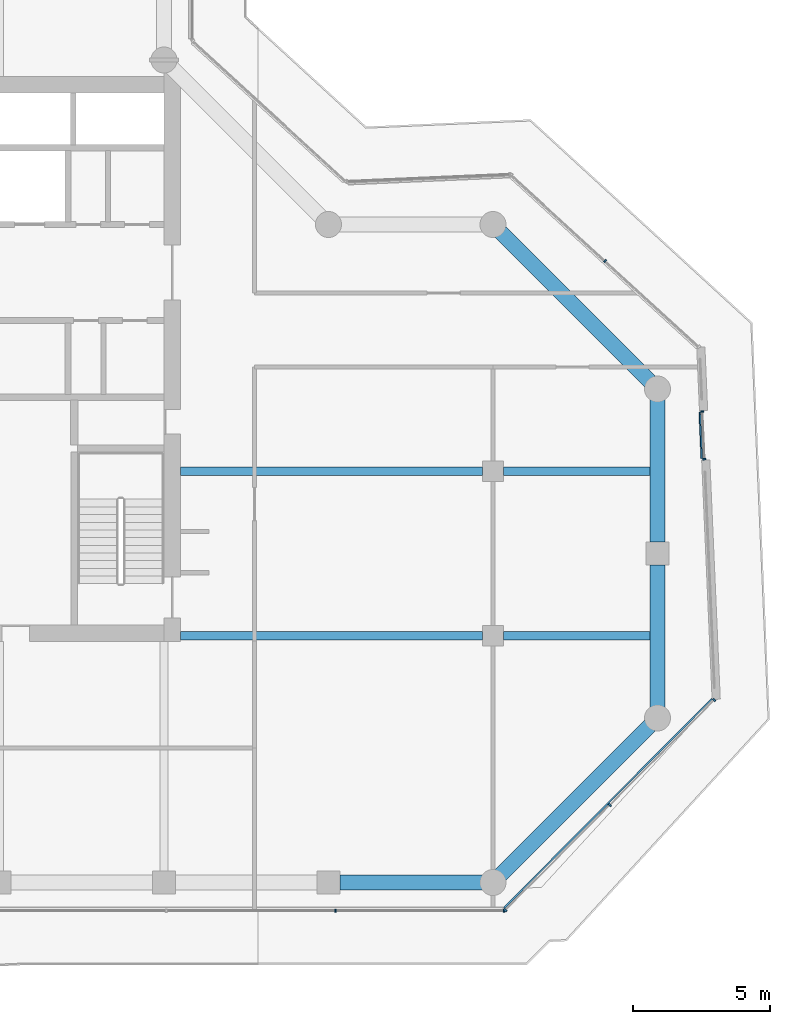
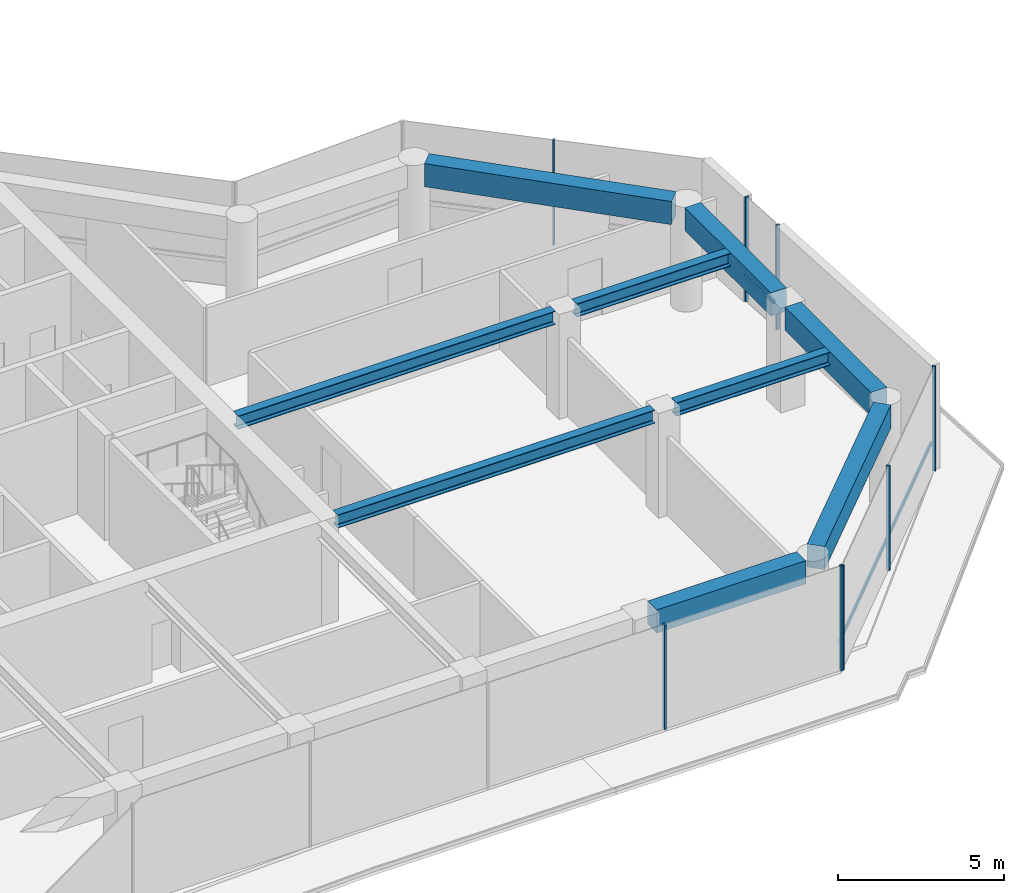
# One storey, part 7 of 21: 10 members, 9 beams, 4 elements without a shape of their own.
"""IFC4 building model written with IfcOpenShell, lengths in metres."""

from ifc_helpers import new_model, si_unit, direction, frame, origin, origin_2d, place, context, subcontext, project, spatial, rectangle, i_section, extrude, material, layer, layer_set, material_profile, profile_set, type_object, element, aggregate, save


model = new_model("IFC4")

# Units and contexts
model_context = context("Model", 3, precision=1e-05, world=origin(), true_north=direction((0.0, 1.0)))
body_context = subcontext(model_context, "Body", "Model", "MODEL_VIEW")
ifc_project = project(units=[si_unit("LENGTHUNIT", "METRE"), si_unit("AREAUNIT", "SQUARE_METRE"), si_unit("VOLUMEUNIT", "CUBIC_METRE"), si_unit("PLANEANGLEUNIT", "RADIAN"), si_unit("MASSUNIT", "GRAM", prefix="KILO")], contexts=[model_context])

# Site, building, storey
site_placement = place(None, origin())
site = spatial("IfcSite", under=ifc_project, at=site_placement, CompositionType="ELEMENT")
building_placement = place(site_placement, origin())
building = spatial("IfcBuilding", under=site, at=building_placement, Name="Welwitschia Terrace Campus", CompositionType="ELEMENT")
storey_placement = place(building_placement, frame((0.0, 0.0, 180.199951171875)))
storey = spatial("IfcBuildingStorey", under=building, at=storey_placement, Name="L40", CompositionType="ELEMENT", Elevation=180.199951171875)

# Beams
ifc_material_1 = material(Name="Steel S355", Category="steel")
ifc_material_profile_1 = material_profile(ifc_material_1, i_section(OverallWidth=0.300048828125, OverallDepth=0.489990234375, WebThickness=0.011962890625, FlangeThickness=0.02294921875, FilletRadius=0.027099609375, at=origin_2d()))
ifc_profile_set_1 = profile_set([ifc_material_profile_1], Name="Steel S355")
beam_type_1 = type_object("IfcBeamType", Name="Interior girder HE 500 A", PredefinedType="BEAM", material=ifc_profile_set_1)
beam_1_placement = place(storey_placement, frame((24.60107421875, 5.0, 3.60498046875), z_axis=(1.0, 0.0, 0.0), x_axis=(0.0, 1.0, 0.0)))
element("IfcBeam", 1, at=beam_1_placement, inside=storey, type_object=beam_type_1, Name="Girder GB4", PredefinedType="BEAM", context=body_context, shape_type="SweptSolid", body=[
    extrude(i_section(OverallWidth=0.300048828125, OverallDepth=0.489990234375, WebThickness=0.011962890625, FlangeThickness=0.02294921875, FilletRadius=0.027099609375, at=origin_2d()), origin(), (0.0, 0.0, 1.0), 11.0234375),
])
beam_2_placement = place(storey_placement, frame((36.37548828125, 5.0, 3.60498046875), z_axis=(1.0, 0.0, 0.0), x_axis=(0.0, 1.0, 0.0)))
element("IfcBeam", 2, at=beam_2_placement, inside=storey, type_object=beam_type_1, Name="Girder GB4", PredefinedType="BEAM", context=body_context, shape_type="SweptSolid", body=[
    extrude(i_section(OverallWidth=0.300048828125, OverallDepth=0.489990234375, WebThickness=0.011962890625, FlangeThickness=0.02294921875, FilletRadius=0.027099609375, at=origin_2d()), origin(), (0.0, 0.0, 1.0), 5.634521484375),
])
beam_3_placement = place(storey_placement, frame((24.60107421875, 11.0, 3.60498046875), z_axis=(1.0, 0.0, 0.0), x_axis=(0.0, 1.0, 0.0)))
element("IfcBeam", 3, at=beam_3_placement, inside=storey, type_object=beam_type_1, Name="Girder GB4", PredefinedType="BEAM", context=body_context, shape_type="SweptSolid", body=[
    extrude(i_section(OverallWidth=0.300048828125, OverallDepth=0.489990234375, WebThickness=0.011962890625, FlangeThickness=0.02294921875, FilletRadius=0.027099609375, at=origin_2d()), origin(), (0.0, 0.0, 1.0), 11.0234375),
])
beam_4_placement = place(storey_placement, frame((36.37548828125, 11.0, 3.60498046875), z_axis=(1.0, 0.0, 0.0), x_axis=(0.0, 1.0, 0.0)))
element("IfcBeam", 4, at=beam_4_placement, inside=storey, type_object=beam_type_1, Name="Girder GB4", PredefinedType="BEAM", context=body_context, shape_type="SweptSolid", body=[
    extrude(i_section(OverallWidth=0.300048828125, OverallDepth=0.489990234375, WebThickness=0.011962890625, FlangeThickness=0.02294921875, FilletRadius=0.027099609375, at=origin_2d()), origin(), (0.0, 0.0, 1.0), 5.634521484375),
])

# Curtain wall, members
ifc_material_2 = material(Name="Bronze anodised aluminium", Category="aluminium")
ifc_layer = layer(ifc_material_2, 0.1201171875)
ifc_layer_set = layer_set([ifc_layer], Name="Bronze anodised aluminium")
curtain_wall_type = type_object("IfcCurtainWallType", Name="Curtain wall CW2 tower 6000", PredefinedType="NOTDEFINED", material=ifc_layer_set)
curtain_wall_1_placement = place(storey_placement, origin())
curtain_wall_1 = element("IfcCurtainWall", 5, at=curtain_wall_1_placement, inside=storey, type_object=curtain_wall_type, Name="CW L40.1.0", PredefinedType="NOTDEFINED")
ifc_material_3 = material(Name="Bronze anodised aluminium", Category="aluminium")
ifc_material_profile_2 = material_profile(ifc_material_3, rectangle(XDim=0.1201171875, YDim=0.06005859375, at=origin_2d()))
ifc_profile_set_2 = profile_set([ifc_material_profile_2], Name="Bronze anodised aluminium")
member_type_1 = type_object("IfcMemberType", Name="Mullion 60x120", PredefinedType="MULLION", material=ifc_profile_set_2)
member_1_placement = place(storey_placement, frame((30.256103515625, -5.030029296875, 0.0), z_axis=(0.0, 0.0, 1.0), x_axis=(0.0, 1.0, 0.0)))
member_1 = element("IfcMember", 6, at=member_1_placement, type_object=member_type_1, Name="Mullion L40.1.0.4", PredefinedType="MULLION", context=body_context, shape_type="SweptSolid", body=[
    extrude(rectangle(XDim=0.1201171875, YDim=0.06005859375, at=origin_2d()), origin(), (0.0, 0.0, 1.0), 3.85009765625),
])
member_2_placement = place(storey_placement, frame((36.396728515625, -5.030029296875, 0.0), z_axis=(0.0, 0.0, 1.0), x_axis=(0.0, 1.0, 0.0)))
member_2 = element("IfcMember", 7, at=member_2_placement, type_object=member_type_1, Name="Mullion L40.1.0.5", PredefinedType="MULLION", context=body_context, shape_type="SweptSolid", body=[
    extrude(rectangle(XDim=0.1201171875, YDim=0.06005859375, at=origin_2d()), origin(), (0.0, 0.0, 1.0), 3.85009765625),
])
aggregate(curtain_wall_1, [member_1, member_2])

curtain_wall_2_placement = place(storey_placement, origin())
curtain_wall_2 = element("IfcCurtainWall", 8, at=curtain_wall_2_placement, inside=storey, type_object=curtain_wall_type, Name="CW L40.2.0", PredefinedType="NOTDEFINED")
member_3_placement = place(storey_placement, frame((36.44775390625, -5.0087890625, 0.0), z_axis=(0.0, 0.0, 1.0), x_axis=(-0.709158788823, 0.705048801314, 0.0)))
member_3 = element("IfcMember", 9, at=member_3_placement, type_object=member_type_1, Name="Mullion L40.2.0.0", PredefinedType="MULLION", context=body_context, shape_type="SweptSolid", body=[
    extrude(rectangle(XDim=0.1201171875, YDim=0.06005859375, at=origin_2d()), origin(), (0.0, 0.0, 1.0), 3.85009765625),
])
member_4_placement = place(storey_placement, frame((40.259033203125, -1.17529296875, 0.0), z_axis=(0.0, 0.0, 1.0), x_axis=(-0.709158788823, 0.705048801314, 0.0)))
member_4 = element("IfcMember", 10, at=member_4_placement, type_object=member_type_1, Name="Mullion L40.2.0.1", PredefinedType="MULLION", context=body_context, shape_type="SweptSolid", body=[
    extrude(rectangle(XDim=0.1201171875, YDim=0.06005859375, at=origin_2d()), origin(), (0.0, 0.0, 1.0), 3.85009765625),
])
member_5_placement = place(storey_placement, frame((44.0703125, 2.658203125, 0.0), z_axis=(0.0, 0.0, 1.0), x_axis=(-0.709158788823, 0.705048801314, 0.0)))
member_5 = element("IfcMember", 11, at=member_5_placement, type_object=member_type_1, Name="Mullion L40.2.0.2", PredefinedType="MULLION", context=body_context, shape_type="SweptSolid", body=[
    extrude(rectangle(XDim=0.1201171875, YDim=0.06005859375, at=origin_2d()), origin(), (0.0, 0.0, 1.0), 3.85009765625),
])

curtain_wall_3_placement = place(storey_placement, origin())
curtain_wall_3 = element("IfcCurtainWall", 12, at=curtain_wall_3_placement, inside=storey, type_object=curtain_wall_type, Name="CW L40.3.S0", PredefinedType="NOTDEFINED")
member_6_placement = place(storey_placement, frame((43.708984375, 11.441162109375, 0.0), z_axis=(0.0, 0.0, 1.0), x_axis=(-0.999048221582, -0.043619387365, 0.0)))
member_6 = element("IfcMember", 13, at=member_6_placement, type_object=member_type_1, Name="Mullion L40.3.S0.0", PredefinedType="MULLION", context=body_context, shape_type="SweptSolid", body=[
    extrude(rectangle(XDim=0.1201171875, YDim=0.06005859375, at=origin_2d()), origin(), (0.0, 0.0, 1.0), 3.85009765625),
])
member_7_placement = place(storey_placement, frame((43.633056640625, 13.179443359375, 0.0), z_axis=(0.0, 0.0, 1.0), x_axis=(-0.999048221582, -0.043619387365, 0.0)))
member_7 = element("IfcMember", 14, at=member_7_placement, type_object=member_type_1, Name="Mullion L40.3.S0.1", PredefinedType="MULLION", context=body_context, shape_type="SweptSolid", body=[
    extrude(rectangle(XDim=0.1201171875, YDim=0.06005859375, at=origin_2d()), origin(), (0.0, 0.0, 1.0), 3.85009765625),
])

# Curtain wall, member
curtain_wall_4_placement = place(storey_placement, origin())
curtain_wall_4 = element("IfcCurtainWall", 15, at=curtain_wall_4_placement, inside=storey, type_object=curtain_wall_type, Name="CW L40.4.0", PredefinedType="NOTDEFINED")
member_8_placement = place(storey_placement, frame((40.088134765625, 18.675048828125, 0.0), z_axis=(0.0, 0.0, 1.0), x_axis=(-0.675590207616, -0.73727733681, 0.0)))
member_8 = element("IfcMember", 16, at=member_8_placement, type_object=member_type_1, Name="Mullion L40.4.0.1", PredefinedType="MULLION", context=body_context, shape_type="SweptSolid", body=[
    extrude(rectangle(XDim=0.1201171875, YDim=0.06005859375, at=origin_2d()), origin(), (0.0, 0.0, 1.0), 3.85009765625),
])
aggregate(curtain_wall_4, [member_8])

# Beams
ifc_material_4 = material(Name="Concrete C50/60", Category="concrete")
ifc_material_profile_3 = material_profile(ifc_material_4, rectangle(XDim=0.550048828125, YDim=0.85009765625, at=origin_2d()))
ifc_profile_set_3 = profile_set([ifc_material_profile_3], Name="Concrete C50/60")
beam_type_2 = type_object("IfcBeamType", Name="Ring spandrel 550x850", PredefinedType="SPANDREL", material=ifc_profile_set_3)
beam_5_placement = place(storey_placement, frame((30.425537109375, -4.0, 3.425048828125), z_axis=(1.0, 0.0, 0.0), x_axis=(0.0, 1.0, 0.0)))
element("IfcBeam", 17, at=beam_5_placement, inside=storey, type_object=beam_type_2, Name="Spandrel SP3", PredefinedType="SPANDREL", context=body_context, shape_type="SweptSolid", body=[
    extrude(rectangle(XDim=0.550048828125, YDim=0.85009765625, at=origin_2d()), origin(), (0.0, 0.0, 1.0), 5.1865234375),
])
beam_6_placement = place(storey_placement, frame((36.2744140625, -3.7255859375, 3.425048828125), z_axis=(0.707106781187, 0.707106781187, 0.0), x_axis=(-0.707106781187, 0.707106781187, 0.0)))
element("IfcBeam", 18, at=beam_6_placement, inside=storey, type_object=beam_type_2, Name="Spandrel SP3", PredefinedType="SPANDREL", context=body_context, shape_type="SweptSolid", body=[
    extrude(rectangle(XDim=0.550048828125, YDim=0.85009765625, at=origin_2d()), origin(), (0.0, 0.0, 1.0), 7.709228515625),
])
for number, where, z_axis, x_axis, name in (
    (19, (42.0, 2.387939453125, 3.425048828125), (0.0, 1.0, 0.0), (-1.0, 0.0, 0.0), "Spandrel SP3"),
    (20, (42.0, 8.425537109375, 3.425048828125), (0.0, 1.0, 0.0), (-1.0, 0.0, 0.0), "Spandrel SP3"),
):
    element("IfcBeam", number, at=place(storey_placement, frame(where, z_axis=z_axis, x_axis=x_axis)), inside=storey, type_object=beam_type_2, Name=name, PredefinedType="SPANDREL", context=body_context, shape_type="SweptSolid", body=[
        extrude(rectangle(XDim=0.550048828125, YDim=0.85009765625, at=origin_2d()), origin(), (0.0, 0.0, 1.0), 5.1865234375),
    ])
beam_7_placement = place(storey_placement, frame((41.7255859375, 14.2744140625, 3.425048828125), z_axis=(-0.707106781187, 0.707106781187, 0.0), x_axis=(-0.707106781187, -0.707106781187, 0.0)))
element("IfcBeam", 21, at=beam_7_placement, inside=storey, type_object=beam_type_2, Name="Spandrel SP3", PredefinedType="SPANDREL", context=body_context, shape_type="SweptSolid", body=[
    extrude(rectangle(XDim=0.550048828125, YDim=0.85009765625, at=origin_2d()), origin(), (0.0, 0.0, 1.0), 7.709228515625),
])

# Member
ifc_material_5 = material(Name="Bronze anodised aluminium", Category="aluminium")
ifc_material_profile_4 = material_profile(ifc_material_5, rectangle(XDim=0.06005859375, YDim=0.14990234375, at=origin_2d()))
ifc_profile_set_4 = profile_set([ifc_material_profile_4], Name="Bronze anodised aluminium")
member_type_2 = type_object("IfcMemberType", Name="Transom 60x150", PredefinedType="USERDEFINED", material=ifc_profile_set_4)
member_9_placement = place(storey_placement, frame((36.405029296875, -4.924072265625, 1.0), z_axis=(0.705048755728, 0.709158834145, 0.0), x_axis=(-0.709158834145, 0.705048755728, 0.0)))
member_9 = element("IfcMember", 22, at=member_9_placement, type_object=member_type_2, Name="Transom L40.2.0", ObjectType="TRANSOM", PredefinedType="USERDEFINED", context=body_context, shape_type="SweptSolid", body=[
    extrude(rectangle(XDim=0.06005859375, YDim=0.14990234375, at=origin_2d()), origin(), (0.0, 0.0, 1.0), 10.75146484375),
])

aggregate(curtain_wall_2, [member_3, member_4, member_5, member_9])

member_10_placement = place(storey_placement, frame((43.61767578125, 11.467041015625, 1.0), z_axis=(-0.043594878169, 0.999049291375, 0.0), x_axis=(-0.999049291375, -0.043594878169, 0.0)))
member_10 = element("IfcMember", 23, at=member_10_placement, type_object=member_type_2, Name="Transom L40.3.S0", ObjectType="TRANSOM", PredefinedType="USERDEFINED", context=body_context, shape_type="SweptSolid", body=[
    extrude(rectangle(XDim=0.06005859375, YDim=0.14990234375, at=origin_2d()), origin(), (0.0, 0.0, 1.0), 1.68017578125),
])

aggregate(curtain_wall_3, [member_6, member_7, member_10])

save(model, "model.ifc")
